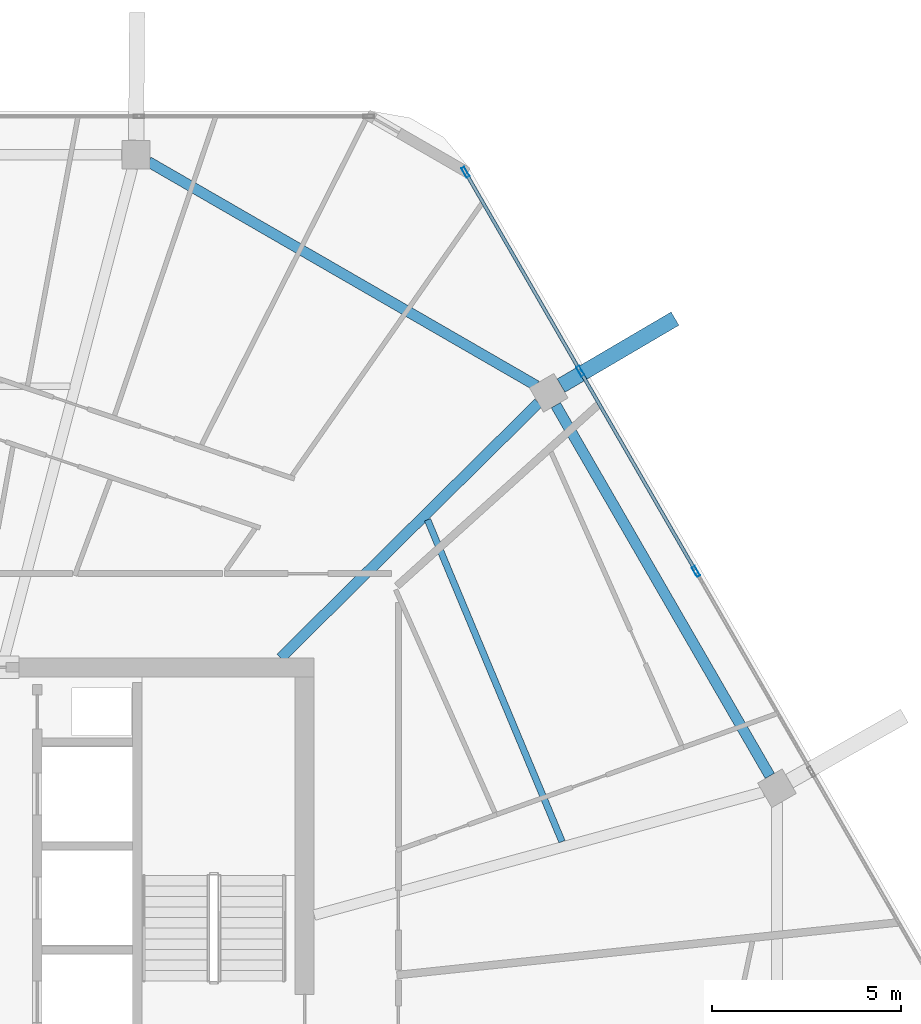
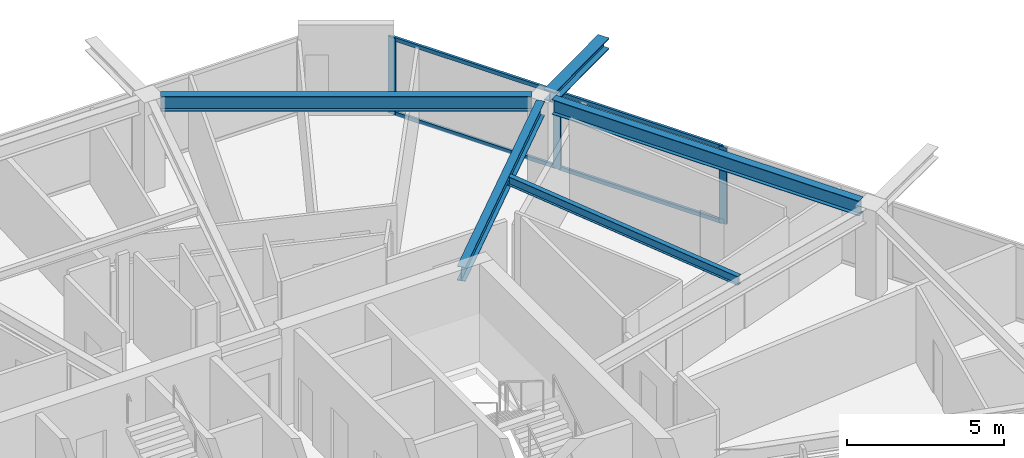
# One storey, part 11 of 23: 7 members, 5 beams, 1 element without a shape of its own.
"""IFC4 building model written with IfcOpenShell, lengths in metres."""

from ifc_helpers import new_model, si_unit, direction, frame, origin, origin_2d, place, context, subcontext, project, spatial, hollow_rectangle, i_section, extrude, material, material_profile, profile_set, type_object, element, aggregate, save


model = new_model("IFC4")

# Units and contexts
model_context = context("Model", 3, precision=1e-05, world=origin(), true_north=direction((0.0, 1.0)))
body_context = subcontext(model_context, "Body", "Model", "MODEL_VIEW")
ifc_project = project(units=[si_unit("LENGTHUNIT", "METRE"), si_unit("AREAUNIT", "SQUARE_METRE"), si_unit("VOLUMEUNIT", "CUBIC_METRE"), si_unit("PLANEANGLEUNIT", "RADIAN"), si_unit("MASSUNIT", "GRAM", prefix="KILO")], contexts=[model_context])

# Site, building, storey
site_placement = place(None, origin())
site = spatial("IfcSite", under=ifc_project, at=site_placement, CompositionType="ELEMENT")
building_placement = place(site_placement, origin())
building = spatial("IfcBuilding", under=site, at=building_placement, Name="Zuhravey Tower", CompositionType="ELEMENT")
storey_placement = place(building_placement, frame((0.0, 0.0, 350.0)))
storey = spatial("IfcBuildingStorey", under=building, at=storey_placement, Name="L89", CompositionType="ELEMENT", Elevation=350.0)

# Curtain wall, members
ifc_material_1 = material(Name="Thermally broken anodised aluminium", Category="aluminium")
curtain_wall_type = type_object("IfcCurtainWallType", Name="Zone 3-4 High-Rise Curtain Wall CW4", PredefinedType="NOTDEFINED", material=ifc_material_1)
curtain_wall_placement = place(storey_placement, origin())
curtain_wall = element("IfcCurtainWall", 1, at=curtain_wall_placement, inside=storey, type_object=curtain_wall_type, Name="L89 CW4 CW-L89-F1-1", PredefinedType="NOTDEFINED")
ifc_material_2 = material(Name="Anodised aluminium", Category="aluminium")
ifc_material_profile_1 = material_profile(ifc_material_2, hollow_rectangle(XDim=0.090087890625, YDim=0.284912109375, WallThickness=0.0048828125, at=origin_2d()), Name="ALU-RHS-90x285x5")
ifc_profile_set_1 = profile_set([ifc_material_profile_1], Name="Anodised aluminium")
member_type_1 = type_object("IfcMemberType", Name="Curtain-Wall Mullion 90x180", PredefinedType="MULLION", material=ifc_profile_set_1)
member_1_placement = place(storey_placement, frame((50.751708984375, 54.59765625, 0.0), z_axis=(0.0, 0.0, 1.0), x_axis=(0.866025511541, 0.49999981336, 0.0)))
member_1 = element("IfcMember", 2, at=member_1_placement, type_object=member_type_1, Name="CW4 mullion 1", PredefinedType="MULLION", context=body_context, shape_type="SweptSolid", body=[
    extrude(hollow_rectangle(XDim=0.090087890625, YDim=0.284912109375, WallThickness=0.0048828125, at=origin_2d()), origin(), (0.0, 0.0, 1.0), 2.987060546875),
])
member_2_placement = place(storey_placement, frame((53.788818359375, 49.3369140625, 0.0), z_axis=(0.0, 0.0, 1.0), x_axis=(0.866025511541, 0.49999981336, 0.0)))
member_2 = element("IfcMember", 3, at=member_2_placement, type_object=member_type_1, Name="CW4 mullion 2", PredefinedType="MULLION", context=body_context, shape_type="SweptSolid", body=[
    extrude(hollow_rectangle(XDim=0.090087890625, YDim=0.284912109375, WallThickness=0.0048828125, at=origin_2d()), origin(), (0.0, 0.0, 1.0), 2.987060546875),
])
member_3_placement = place(storey_placement, frame((56.8486328125, 44.037109375, 0.0), z_axis=(0.0, 0.0, 1.0), x_axis=(0.866025511541, 0.49999981336, 0.0)))
member_3 = element("IfcMember", 4, at=member_3_placement, type_object=member_type_1, Name="CW4 mullion 3", PredefinedType="MULLION", context=body_context, shape_type="SweptSolid", body=[
    extrude(hollow_rectangle(XDim=0.090087890625, YDim=0.284912109375, WallThickness=0.0048828125, at=origin_2d()), origin(), (0.0, 0.0, 1.0), 2.987060546875),
])
ifc_material_profile_2 = material_profile(ifc_material_2, hollow_rectangle(XDim=0.090087890625, YDim=0.14990234375, WallThickness=0.0048828125, at=origin_2d()), Name="ALU-RHS-90x150x5")
ifc_profile_set_2 = profile_set([ifc_material_profile_2], Name="Anodised aluminium")
member_type_2 = type_object("IfcMemberType", Name="Curtain-Wall Transom 90x150", PredefinedType="USERDEFINED", material=ifc_profile_set_2)
member_4_placement = place(storey_placement, frame((50.774169921875, 54.55859375, 0.044921875), z_axis=(0.499982594807, -0.866035452444, 0.0), x_axis=(0.866035452444, 0.499982594807, 0.0)))
member_4 = element("IfcMember", 5, at=member_4_placement, type_object=member_type_2, Name="CW4 transom 1.1", ObjectType="TRANSOM", PredefinedType="USERDEFINED", context=body_context, shape_type="SweptSolid", body=[
    extrude(hollow_rectangle(XDim=0.090087890625, YDim=0.14990234375, WallThickness=0.0048828125, at=origin_2d()), origin(), (0.0, 0.0, 1.0), 5.984619140625),
])
member_5_placement = place(storey_placement, frame((50.774169921875, 54.55859375, 2.94189453125), z_axis=(0.499982594807, -0.866035452444, 0.0), x_axis=(0.866035452444, 0.499982594807, 0.0)))
member_5 = element("IfcMember", 6, at=member_5_placement, type_object=member_type_2, Name="CW4 transom 1.2", ObjectType="TRANSOM", PredefinedType="USERDEFINED", context=body_context, shape_type="SweptSolid", body=[
    extrude(hollow_rectangle(XDim=0.090087890625, YDim=0.14990234375, WallThickness=0.0048828125, at=origin_2d()), origin(), (0.0, 0.0, 1.0), 5.984619140625),
])
member_6_placement = place(storey_placement, frame((53.8115234375, 49.2978515625, 0.044921875), z_axis=(0.499971305196, -0.866041970103, 0.0), x_axis=(0.866041970103, 0.499971305196, 0.0)))
member_6 = element("IfcMember", 7, at=member_6_placement, type_object=member_type_2, Name="CW4 transom 2.1", ObjectType="TRANSOM", PredefinedType="USERDEFINED", context=body_context, shape_type="SweptSolid", body=[
    extrude(hollow_rectangle(XDim=0.090087890625, YDim=0.14990234375, WallThickness=0.0048828125, at=origin_2d()), origin(), (0.0, 0.0, 1.0), 6.029541015625),
])
member_7_placement = place(storey_placement, frame((53.8115234375, 49.2978515625, 2.94189453125), z_axis=(0.499971305196, -0.866041970103, 0.0), x_axis=(0.866041970103, 0.499971305196, 0.0)))
member_7 = element("IfcMember", 8, at=member_7_placement, type_object=member_type_2, Name="CW4 transom 2.2", ObjectType="TRANSOM", PredefinedType="USERDEFINED", context=body_context, shape_type="SweptSolid", body=[
    extrude(hollow_rectangle(XDim=0.090087890625, YDim=0.14990234375, WallThickness=0.0048828125, at=origin_2d()), origin(), (0.0, 0.0, 1.0), 6.029541015625),
])
aggregate(curtain_wall, [member_1, member_2, member_3, member_4, member_5, member_6, member_7])

# Beams
ifc_material_3 = material(Name="Steel SM460", Category="steel")
ifc_material_profile_3 = material_profile(ifc_material_3, i_section(OverallWidth=0.406982421875, OverallDepth=0.427978515625, WebThickness=0.02001953125, FlangeThickness=0.034912109375, at=origin_2d()), Name="H-428x407x20x35")
ifc_profile_set_3 = profile_set([ifc_material_profile_3], Name="Steel SM460")
beam_type_1 = type_object("IfcBeamType", Name="Exoskeleton Node Tie Beam H428x407", PredefinedType="BEAM", material=ifc_profile_set_3)
beam_1_placement = place(storey_placement, frame((53.281494140625, 48.95361328125, 3.200927734375), z_axis=(0.862303768214, 0.506391361818, 0.0), x_axis=(-0.506391361818, 0.862303768214, 0.0)))
element("IfcBeam", 9, at=beam_1_placement, inside=storey, type_object=beam_type_1, Name="L89 Exoskeleton Node Tie NT1-02", PredefinedType="BEAM", context=body_context, shape_type="SweptSolid", body=[
    extrude(i_section(OverallWidth=0.406982421875, OverallDepth=0.427978515625, WebThickness=0.02001953125, FlangeThickness=0.034912109375, at=origin_2d()), origin(), (0.0, 0.0, 1.0), 3.496337890625),
])
ifc_material_4 = material(Name="Steel SM355", Category="steel")
ifc_material_profile_4 = material_profile(ifc_material_4, i_section(OverallWidth=0.280029296875, OverallDepth=0.580078125, WebThickness=0.011962890625, FlangeThickness=0.01904296875, at=origin_2d()), Name="H-580x280x12x19")
ifc_profile_set_4 = profile_set([ifc_material_profile_4], Name="Steel SM355")
beam_type_2 = type_object("IfcBeamType", Name="Perimeter Ring Beam H580x280", PredefinedType="BEAM", material=ifc_profile_set_4)
beam_2_placement = place(storey_placement, frame((58.804443359375, 38.629638671875, 3.22998046875), z_axis=(-0.499993743963, 0.866029015679, 0.0), x_axis=(-0.866029015679, -0.499993743963, 0.0)))
element("IfcBeam", 10, at=beam_2_placement, inside=storey, type_object=beam_type_2, Name="L89 PB4 BM-L89-PB-01", PredefinedType="BEAM", context=body_context, shape_type="SweptSolid", body=[
    extrude(i_section(OverallWidth=0.280029296875, OverallDepth=0.580078125, WebThickness=0.011962890625, FlangeThickness=0.01904296875, at=origin_2d()), origin(), (0.0, 0.0, 1.0), 11.321533203125),
])
beam_3_placement = place(storey_placement, frame((52.62744140625, 48.95068359375, 3.22998046875), z_axis=(-0.866030838723, 0.499990586292, 0.0), x_axis=(-0.499990586292, -0.866030838723, 0.0)))
element("IfcBeam", 11, at=beam_3_placement, inside=storey, type_object=beam_type_2, Name="L89 PB4 BM-L89-PB-02", PredefinedType="BEAM", context=body_context, shape_type="SweptSolid", body=[
    extrude(i_section(OverallWidth=0.280029296875, OverallDepth=0.580078125, WebThickness=0.011962890625, FlangeThickness=0.01904296875, at=origin_2d()), origin(), (0.0, 0.0, 1.0), 11.848876953125),
])
ifc_material_profile_5 = material_profile(ifc_material_4, i_section(OverallWidth=0.280029296875, OverallDepth=0.550048828125, WebThickness=0.010986328125, FlangeThickness=0.01806640625, at=origin_2d()), Name="H-550x280x11x18")
ifc_profile_set_5 = profile_set([ifc_material_profile_5], Name="Steel SM355")
beam_type_3 = type_object("IfcBeamType", Name="Radial Primary Girder H550x280", PredefinedType="BEAM", material=ifc_profile_set_5)
beam_4_placement = place(storey_placement, frame((45.865234375, 41.7529296875, 3.2451171875), z_axis=(0.711142578304, 0.703047817238, 0.0), x_axis=(-0.703047817238, 0.711142578304, 0.0)))
element("IfcBeam", 12, at=beam_4_placement, inside=storey, type_object=beam_type_3, Name="L89 RG4 BM-L89-RAD-02", PredefinedType="BEAM", context=body_context, shape_type="SweptSolid", body=[
    extrude(i_section(OverallWidth=0.280029296875, OverallDepth=0.550048828125, WebThickness=0.010986328125, FlangeThickness=0.01806640625, at=origin_2d()), origin(), (0.0, 0.0, 1.0), 9.591064453125),
])
ifc_material_profile_6 = material_profile(ifc_material_4, i_section(OverallWidth=0.175048828125, OverallDepth=0.35009765625, WebThickness=0.007080078125, FlangeThickness=0.010986328125, at=origin_2d()), Name="H-350x175x7x11")
ifc_profile_set_6 = profile_set([ifc_material_profile_6], Name="Steel SM355")
beam_type_4 = type_object("IfcBeamType", Name="Secondary Floor Joist H350x175", PredefinedType="JOIST", material=ifc_profile_set_6)
beam_5_placement = place(storey_placement, frame((53.307373046875, 36.891845703125, 3.344970703125), z_axis=(-0.385657891576, 0.922641853953, 0.0), x_axis=(-0.922641853953, -0.385657891576, 0.0)))
element("IfcBeam", 13, at=beam_5_placement, inside=storey, type_object=beam_type_4, Name="L89 SJ3 BM-L89-SJ-01-1", PredefinedType="JOIST", context=body_context, shape_type="SweptSolid", body=[
    extrude(i_section(OverallWidth=0.175048828125, OverallDepth=0.35009765625, WebThickness=0.007080078125, FlangeThickness=0.010986328125, at=origin_2d()), origin(), (0.0, 0.0, 1.0), 9.226806640625),
])

save(model, "model.ifc")
